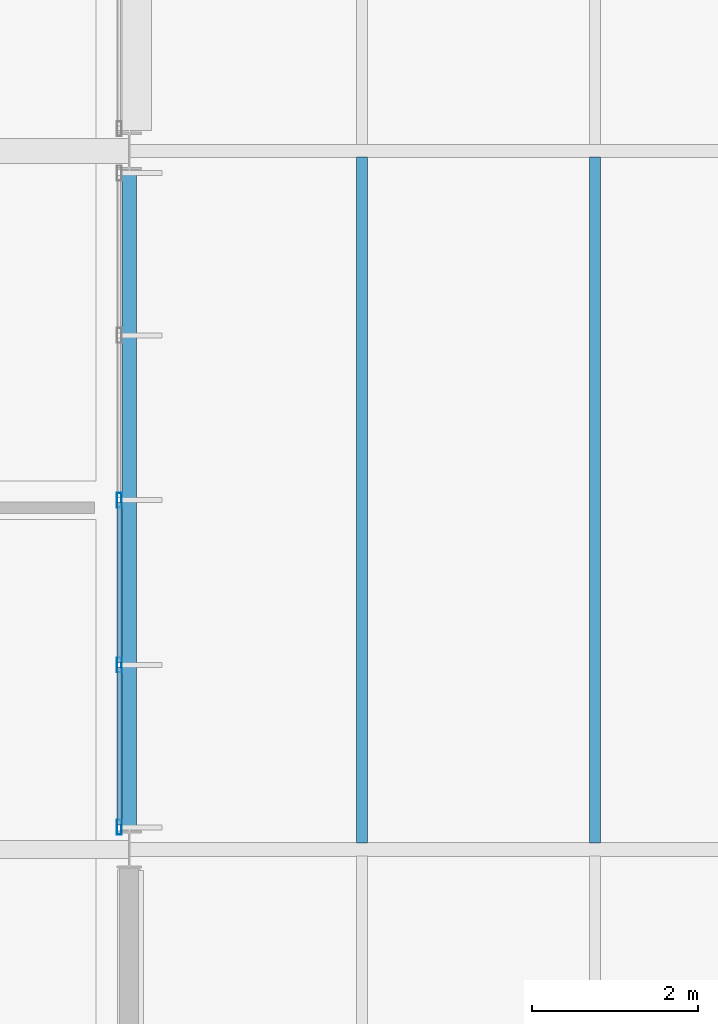
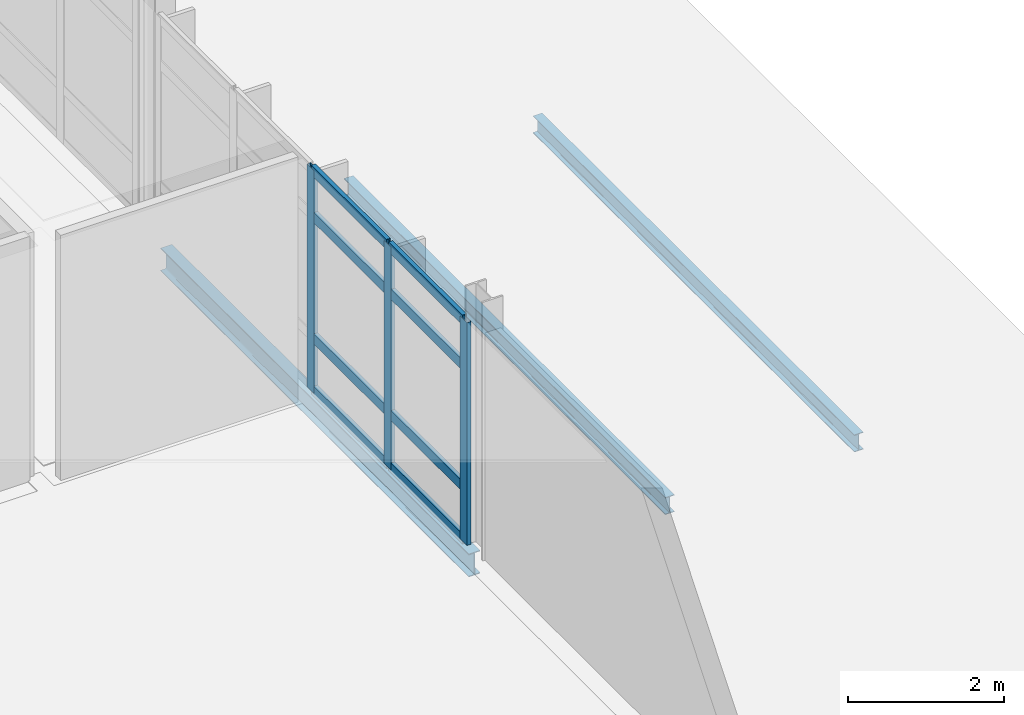
# One storey, part 95 of 151: 11 members, 3 beams, 1 element without a shape of its own.
"""IFC4 building model written with IfcOpenShell, lengths in metres."""

from ifc_helpers import new_model, si_unit, direction, frame, origin, origin_2d, place, context, subcontext, project, spatial, hollow_rectangle, i_section, extrude, material, material_profile, profile_set, type_object, element, aggregate, save


model = new_model("IFC4")

# Units and contexts
model_context = context("Model", 3, precision=1e-05, world=origin(), true_north=direction((0.0, 1.0)))
body_context = subcontext(model_context, "Body", "Model", "MODEL_VIEW")
ifc_project = project(units=[si_unit("LENGTHUNIT", "METRE"), si_unit("AREAUNIT", "SQUARE_METRE"), si_unit("VOLUMEUNIT", "CUBIC_METRE"), si_unit("PLANEANGLEUNIT", "RADIAN"), si_unit("MASSUNIT", "GRAM", prefix="KILO")], contexts=[model_context])

# Site, building, storey
site_placement = place(None, origin())
site = spatial("IfcSite", under=ifc_project, at=site_placement, CompositionType="ELEMENT")
building_placement = place(site_placement, origin())
building = spatial("IfcBuilding", under=site, at=building_placement, Name="Mersafa Astral City Hall", CompositionType="ELEMENT")
storey_placement = place(building_placement, frame((0.0, 0.0, 9.89990234375)))
storey = spatial("IfcBuildingStorey", under=building, at=storey_placement, Name="L02", CompositionType="ELEMENT", Elevation=9.89990234375)

# Curtain wall, members
ifc_material_1 = material(Name="Anodised bronze aluminium framing", Category="aluminium")
curtain_wall_type = type_object("IfcCurtainWallType", Name="ENV-CW-5", PredefinedType="USERDEFINED", material=ifc_material_1)
curtain_wall_placement = place(storey_placement, origin())
curtain_wall = element("IfcCurtainWall", 1, at=curtain_wall_placement, inside=storey, type_object=curtain_wall_type, Name="L02 Unitised solar curtain wall 124", ObjectType="UNITISED CURTAIN WALL", PredefinedType="USERDEFINED")
ifc_material_profile_1 = material_profile(ifc_material_1, hollow_rectangle(XDim=0.06005859375, YDim=0.179931640625, WallThickness=0.00390625, at=origin_2d()), Name="RHS 60x180x4")
ifc_profile_set_1 = profile_set([ifc_material_profile_1], Name="Anodised bronze aluminium framing")
member_type_1 = type_object("IfcMemberType", Name="ENV-CW-MUL-1", PredefinedType="MULLION", material=ifc_profile_set_1)
member_1_placement = place(storey_placement, frame((176.280029296875, 75.866943359375, -0.001953125), z_axis=(0.0, 0.0, 1.0), x_axis=(-1.0, 0.0, 0.0)))
member_1 = element("IfcMember", 2, at=member_1_placement, type_object=member_type_1, Name="CW-5 mullion 1", PredefinedType="MULLION", context=body_context, shape_type="SweptSolid", body=[
    extrude(hollow_rectangle(XDim=0.06005859375, YDim=0.179931640625, WallThickness=0.00390625, at=origin_2d()), origin(), (0.0, 0.0, 1.0), 3.489013671875),
])
member_2_placement = place(storey_placement, frame((176.280029296875, 77.818603515625, -0.001953125), z_axis=(0.0, 0.0, 1.0), x_axis=(-1.0, 0.0, 0.0)))
member_2 = element("IfcMember", 3, at=member_2_placement, type_object=member_type_1, Name="CW-5 mullion 2", PredefinedType="MULLION", context=body_context, shape_type="SweptSolid", body=[
    extrude(hollow_rectangle(XDim=0.06005859375, YDim=0.179931640625, WallThickness=0.00390625, at=origin_2d()), origin(), (0.0, 0.0, 1.0), 3.489013671875),
])
member_3_placement = place(storey_placement, frame((176.280029296875, 79.800048828125, -0.001953125), z_axis=(0.0, 0.0, 1.0), x_axis=(-1.0, 0.0, 0.0)))
member_3 = element("IfcMember", 4, at=member_3_placement, type_object=member_type_1, Name="CW-5 mullion 3", PredefinedType="MULLION", context=body_context, shape_type="SweptSolid", body=[
    extrude(hollow_rectangle(XDim=0.06005859375, YDim=0.179931640625, WallThickness=0.00390625, at=origin_2d()), origin(), (0.0, 0.0, 1.0), 3.489013671875),
])
ifc_material_profile_2 = material_profile(ifc_material_1, hollow_rectangle(XDim=0.06005859375, YDim=0.159912109375, WallThickness=0.00390625, at=origin_2d()), Name="RHS 60x160x4")
ifc_profile_set_2 = profile_set([ifc_material_profile_2], Name="Anodised bronze aluminium framing")
member_type_2 = type_object("IfcMemberType", Name="ENV-CW-TRN-2", PredefinedType="USERDEFINED", material=ifc_profile_set_2)
member_4_placement = place(storey_placement, frame((176.280029296875, 75.89697265625, 0.028076171875), z_axis=(0.0, 1.0, 0.0), x_axis=(-1.0, 0.0, 0.0)))
member_4 = element("IfcMember", 5, at=member_4_placement, type_object=member_type_2, Name="CW-5 transom 1.1", ObjectType="TRANSOM", PredefinedType="USERDEFINED", context=body_context, shape_type="SweptSolid", body=[
    extrude(hollow_rectangle(XDim=0.06005859375, YDim=0.159912109375, WallThickness=0.00390625, at=origin_2d()), origin(), (0.0, 0.0, 1.0), 1.8916015625),
])
member_5_placement = place(storey_placement, frame((176.280029296875, 75.89697265625, 0.85009765625), z_axis=(0.0, 1.0, 0.0), x_axis=(-1.0, 0.0, 0.0)))
member_5 = element("IfcMember", 6, at=member_5_placement, type_object=member_type_2, Name="CW-5 transom 1.2", ObjectType="TRANSOM", PredefinedType="USERDEFINED", context=body_context, shape_type="SweptSolid", body=[
    extrude(hollow_rectangle(XDim=0.06005859375, YDim=0.159912109375, WallThickness=0.00390625, at=origin_2d()), origin(), (0.0, 0.0, 1.0), 1.8916015625),
])
member_6_placement = place(storey_placement, frame((176.280029296875, 75.89697265625, 2.75), z_axis=(0.0, 1.0, 0.0), x_axis=(-1.0, 0.0, 0.0)))
member_6 = element("IfcMember", 7, at=member_6_placement, type_object=member_type_2, Name="CW-5 transom 1.3", ObjectType="TRANSOM", PredefinedType="USERDEFINED", context=body_context, shape_type="SweptSolid", body=[
    extrude(hollow_rectangle(XDim=0.06005859375, YDim=0.159912109375, WallThickness=0.00390625, at=origin_2d()), origin(), (0.0, 0.0, 1.0), 1.8916015625),
])
member_7_placement = place(storey_placement, frame((176.280029296875, 75.89697265625, 3.45703125), z_axis=(0.0, 1.0, 0.0), x_axis=(-1.0, 0.0, 0.0)))
member_7 = element("IfcMember", 8, at=member_7_placement, type_object=member_type_2, Name="CW-5 transom 1.4", ObjectType="TRANSOM", PredefinedType="USERDEFINED", context=body_context, shape_type="SweptSolid", body=[
    extrude(hollow_rectangle(XDim=0.06005859375, YDim=0.159912109375, WallThickness=0.00390625, at=origin_2d()), origin(), (0.0, 0.0, 1.0), 1.8916015625),
])
member_8_placement = place(storey_placement, frame((176.280029296875, 77.848388671875, 0.028076171875), z_axis=(0.0, 1.0, 0.0), x_axis=(-1.0, 0.0, 0.0)))
member_8 = element("IfcMember", 9, at=member_8_placement, type_object=member_type_2, Name="CW-5 transom 2.1", ObjectType="TRANSOM", PredefinedType="USERDEFINED", context=body_context, shape_type="SweptSolid", body=[
    extrude(hollow_rectangle(XDim=0.06005859375, YDim=0.159912109375, WallThickness=0.00390625, at=origin_2d()), origin(), (0.0, 0.0, 1.0), 1.921630859375),
])
member_9_placement = place(storey_placement, frame((176.280029296875, 77.848388671875, 0.85009765625), z_axis=(0.0, 1.0, 0.0), x_axis=(-1.0, 0.0, 0.0)))
member_9 = element("IfcMember", 10, at=member_9_placement, type_object=member_type_2, Name="CW-5 transom 2.2", ObjectType="TRANSOM", PredefinedType="USERDEFINED", context=body_context, shape_type="SweptSolid", body=[
    extrude(hollow_rectangle(XDim=0.06005859375, YDim=0.159912109375, WallThickness=0.00390625, at=origin_2d()), origin(), (0.0, 0.0, 1.0), 1.921630859375),
])
member_10_placement = place(storey_placement, frame((176.280029296875, 77.848388671875, 2.75), z_axis=(0.0, 1.0, 0.0), x_axis=(-1.0, 0.0, 0.0)))
member_10 = element("IfcMember", 11, at=member_10_placement, type_object=member_type_2, Name="CW-5 transom 2.3", ObjectType="TRANSOM", PredefinedType="USERDEFINED", context=body_context, shape_type="SweptSolid", body=[
    extrude(hollow_rectangle(XDim=0.06005859375, YDim=0.159912109375, WallThickness=0.00390625, at=origin_2d()), origin(), (0.0, 0.0, 1.0), 1.921630859375),
])
member_11_placement = place(storey_placement, frame((176.280029296875, 77.848388671875, 3.45703125), z_axis=(0.0, 1.0, 0.0), x_axis=(-1.0, 0.0, 0.0)))
member_11 = element("IfcMember", 12, at=member_11_placement, type_object=member_type_2, Name="CW-5 transom 2.4", ObjectType="TRANSOM", PredefinedType="USERDEFINED", context=body_context, shape_type="SweptSolid", body=[
    extrude(hollow_rectangle(XDim=0.06005859375, YDim=0.159912109375, WallThickness=0.00390625, at=origin_2d()), origin(), (0.0, 0.0, 1.0), 1.921630859375),
])
aggregate(curtain_wall, [member_1, member_2, member_3, member_4, member_5, member_6, member_7, member_8, member_9, member_10, member_11])

# Beams
ifc_material_2 = material(Name="Steel S355", Category="steel")
ifc_material_profile_3 = material_profile(ifc_material_2, i_section(OverallWidth=0.135009765625, OverallDepth=0.27001953125, WebThickness=0.006591796875, FlangeThickness=0.01025390625, FilletRadius=0.014892578125, at=origin_2d()), Name="IPE 270")
ifc_profile_set_3 = profile_set([ifc_material_profile_3], Name="Steel S355")
beam_type_1 = type_object("IfcBeamType", Name="STR-BM-JOIST-IPE270", PredefinedType="JOIST", material=ifc_profile_set_3)
for number, where, z_axis, x_axis, name in (
    (13, (179.199951171875, 75.679931640625, -0.3349609375), (0.0, 1.0, 0.0), (-1.0, 0.0, 0.0), "L02 Flat roof secondary joist 31"),
    (14, (182.0, 75.679931640625, -0.3349609375), (0.0, 1.0, 0.0), (-1.0, 0.0, 0.0), "L02 Flat roof secondary joist 32"),
):
    element("IfcBeam", number, at=place(storey_placement, frame(where, z_axis=z_axis, x_axis=x_axis)), inside=storey, type_object=beam_type_1, Name=name, PredefinedType="JOIST", context=body_context, shape_type="SweptSolid", body=[
        extrude(i_section(OverallWidth=0.135009765625, OverallDepth=0.27001953125, WebThickness=0.006591796875, FlangeThickness=0.01025390625, FilletRadius=0.014892578125, at=origin_2d()), origin(), (0.0, 0.0, 1.0), 8.2451171875),
    ])
ifc_material_profile_4 = material_profile(ifc_material_2, i_section(OverallWidth=0.169921875, OverallDepth=0.360107421875, WebThickness=0.008056640625, FlangeThickness=0.0126953125, FilletRadius=0.01806640625, at=origin_2d()), Name="IPE 360")
ifc_profile_set_4 = profile_set([ifc_material_profile_4], Name="Steel S355")
beam_type_2 = type_object("IfcBeamType", Name="STR-BM-SPANDREL-IPE360", PredefinedType="SPANDREL", material=ifc_profile_set_4)
beam_placement = place(storey_placement, frame((176.39990234375, 75.844970703125, -0.3798828125), z_axis=(0.0, 1.0, 0.0), x_axis=(-1.0, 0.0, 0.0)))
element("IfcBeam", 15, at=beam_placement, inside=storey, type_object=beam_type_2, Name="L02 Primary girder Y 21-9", PredefinedType="SPANDREL", context=body_context, shape_type="SweptSolid", body=[
    extrude(i_section(OverallWidth=0.169921875, OverallDepth=0.360107421875, WebThickness=0.008056640625, FlangeThickness=0.0126953125, FilletRadius=0.01806640625, at=origin_2d()), origin(), (0.0, 0.0, 1.0), 7.909912109375),
])

save(model, "model.ifc")
